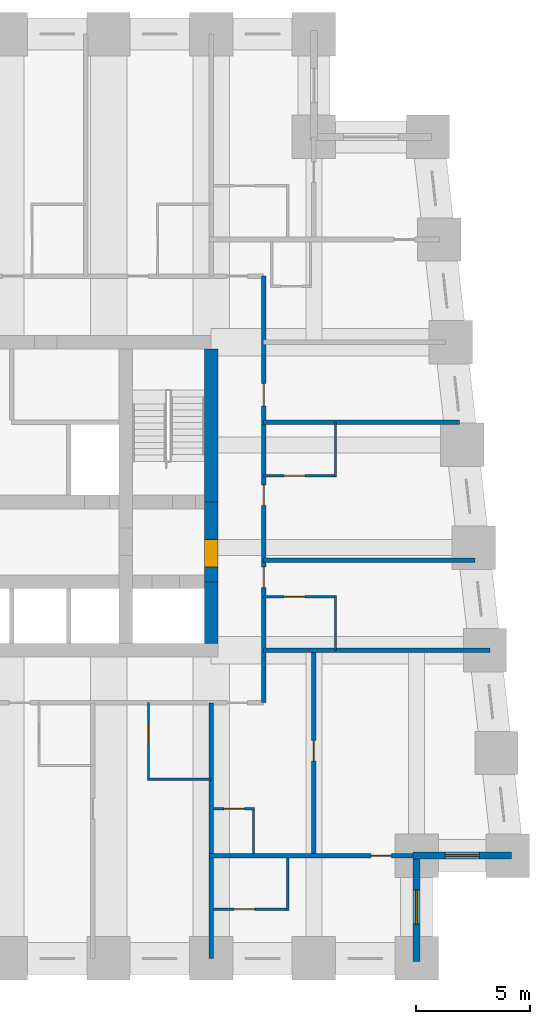
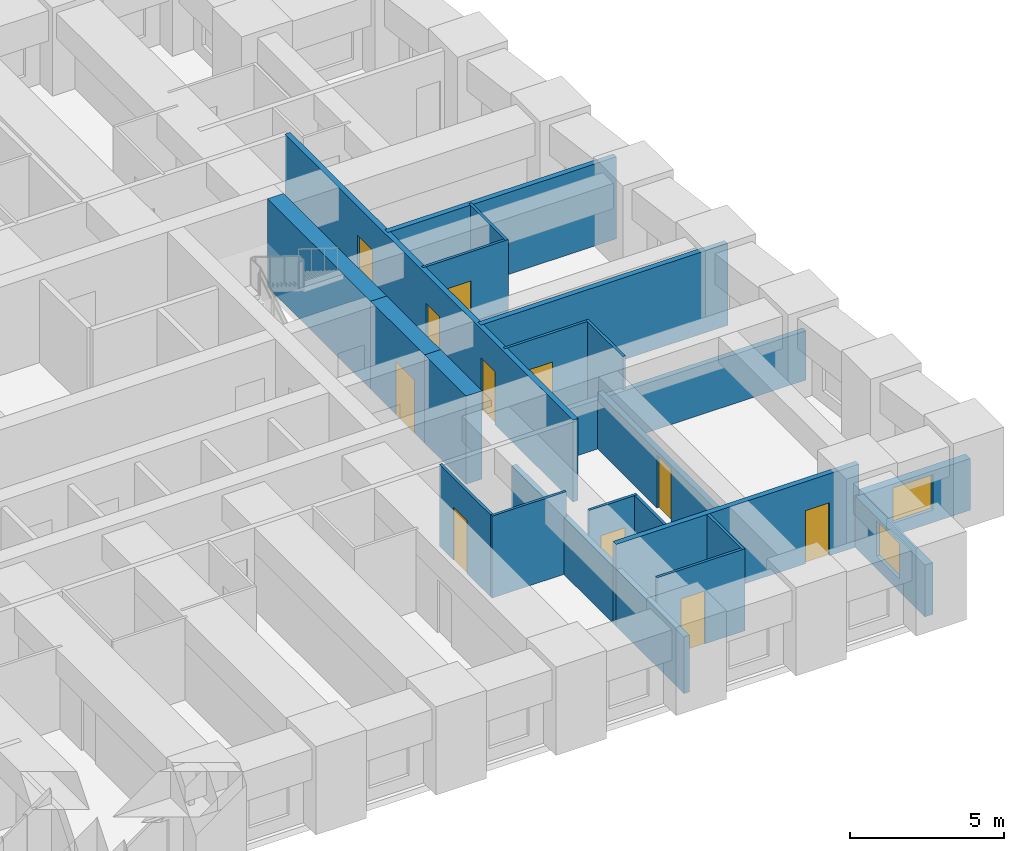
# One storey, part 5 of 8: 22 walls, 11 doors, 2 windows, 13 openings.
"""IFC4 building model written with IfcOpenShell, lengths in metres."""

from ifc_helpers import new_model, si_unit, direction, frame, frame_2d, origin, place, context, subcontext, project, spatial, rectangle, extrude, material, layer, layer_set, type_object, element, fill, save


model = new_model("IFC4")

# Units and contexts
model_context = context("Model", 3, precision=1e-05, world=origin(), true_north=direction((0.0, 1.0)))
body_context = subcontext(model_context, "Body", "Model", "MODEL_VIEW")
ifc_project = project(units=[si_unit("LENGTHUNIT", "METRE"), si_unit("AREAUNIT", "SQUARE_METRE"), si_unit("VOLUMEUNIT", "CUBIC_METRE"), si_unit("PLANEANGLEUNIT", "RADIAN"), si_unit("MASSUNIT", "GRAM", prefix="KILO")], contexts=[model_context])

# Site, building, storey
site_placement = place(None, origin())
site = spatial("IfcSite", under=ifc_project, at=site_placement, CompositionType="ELEMENT")
building_placement = place(site_placement, origin())
building = spatial("IfcBuilding", under=site, at=building_placement, Name="Kilele Tower Hotel", CompositionType="ELEMENT")
storey_placement = place(building_placement, frame((0.0, 0.0, 57.699951171875)))
storey = spatial("IfcBuildingStorey", under=building, at=storey_placement, Name="L13", CompositionType="ELEMENT", Elevation=57.699951171875)

# Wall
ifc_material_1 = material(Name="Moisture-resistant board")
ifc_layer_1 = layer(ifc_material_1, 0.10009765625)
ifc_layer_set_1 = layer_set([ifc_layer_1], Name="Moisture-resistant board")
wall_type_1 = type_object("IfcWallType", Name="Bathroom partition 100", PredefinedType="PLUMBINGWALL", material=ifc_layer_set_1)
wall_1_placement = place(storey_placement, frame((33.199951171875, 7.85009765625, 0.0), z_axis=(0.0, 0.0, 1.0), x_axis=(1.0, 0.0, 0.0)))
element("IfcWall", 1, at=wall_1_placement, inside=storey, type_object=wall_type_1, Name="Bathroom partition 100 L13", PredefinedType="PLUMBINGWALL", context=body_context, shape_type="SweptSolid", body=[
    extrude(rectangle(XDim=2.800048828125, YDim=0.10009765625, at=frame_2d((1.39990234375, 0.0))), origin(), (0.0, 0.0, 1.0), 3.25),
])

# Wall, opening, door
wall_2_placement = place(storey_placement, frame((33.25, 11.199951171875, 0.0), z_axis=(0.0, 0.0, 1.0), x_axis=(0.0, -1.0, 0.0)))
wall_2 = element("IfcWall", 2, at=wall_2_placement, inside=storey, type_object=wall_type_1, Name="Bathroom partition 100 L13", PredefinedType="PLUMBINGWALL", context=body_context, shape_type="SweptSolid", body=[
    extrude(rectangle(XDim=3.39990234375, YDim=0.10009765625, at=frame_2d((1.699951171875, 0.0))), origin(), (0.0, 0.0, 1.0), 3.25),
])
opening_1_placement = place(wall_2_placement, frame((1.7998046875, 0.0, 0.0), z_axis=(0.0, 0.0, 1.0), x_axis=(-1.0, 0.0, 0.0)))
opening_1 = element("IfcOpeningElement", 3, at=opening_1_placement, cuts=wall_2, Name="Opening D2A", PredefinedType="OPENING", context=body_context, shape_type="SweptSolid", body=[
    extrude(rectangle(XDim=0.89990234375, YDim=2.10009765625, at=frame_2d((0.449951171875, 1.050048828125))), frame((0.0, 0.06005859375, 0.0), z_axis=(0.0, -1.0, 0.0), x_axis=(1.0, 0.0, 0.0)), (0.0, 0.0, 1.0), 0.1201171875),
])
ifc_material_2 = material(Name="Timber door leaf in hardwood frame", Category="wood")
door_type_1 = type_object("IfcDoorType", Name="Bathroom door 900", OperationType="SINGLE_SWING_LEFT", PredefinedType="DOOR", material=ifc_material_2)
door_1_placement = place(opening_1_placement, origin())
door_1 = element("IfcDoor", 4, at=door_1_placement, inside=storey, type_object=door_type_1, Name="Bathroom door 1305B", OperationType="SINGLE_SWING_RIGHT", OverallHeight=2.10009765625, OverallWidth=0.89990234375, PredefinedType="DOOR", context=body_context, shape_type="SweptSolid", body=[
    extrude(rectangle(XDim=0.89990234375, YDim=2.10009765625, at=frame_2d((0.449951171875, 1.050048828125))), frame((0.0, 0.02490234375, 0.0), z_axis=(0.0, -1.0, 0.0), x_axis=(1.0, 0.0, 0.0)), (0.0, 0.0, 1.0), 0.050048828125),
])
fill(opening_1, door_1)

# Wall
wall_3_placement = place(storey_placement, frame((41.449951171875, 13.5, 0.0), z_axis=(0.0, 0.0, 1.0), x_axis=(0.0, 1.0, 0.0)))
element("IfcWall", 5, at=wall_3_placement, inside=storey, type_object=wall_type_1, Name="Bathroom partition 100 L13", PredefinedType="PLUMBINGWALL", context=body_context, shape_type="SweptSolid", body=[
    extrude(rectangle(XDim=2.39990234375, YDim=0.10009765625, at=frame_2d((1.199951171875, 0.0))), origin(), (0.0, 0.0, 1.0), 3.25),
])

# Wall, opening, door
wall_4_placement = place(storey_placement, frame((38.300048828125, 15.85009765625, 0.0), z_axis=(0.0, 0.0, 1.0), x_axis=(1.0, 0.0, 0.0)))
wall_4 = element("IfcWall", 6, at=wall_4_placement, inside=storey, type_object=wall_type_1, Name="Bathroom partition 100 L13", PredefinedType="PLUMBINGWALL", context=body_context, shape_type="SweptSolid", body=[
    extrude(rectangle(XDim=3.199951171875, YDim=0.10009765625, at=frame_2d((1.60009765625, 0.0))), origin(), (0.0, 0.0, 1.0), 3.25),
])
opening_2_placement = place(wall_4_placement, frame((0.89990234375, 0.0, 0.0)))
opening_2 = element("IfcOpeningElement", 7, at=opening_2_placement, cuts=wall_4, Name="Opening D2A", PredefinedType="OPENING", context=body_context, shape_type="SweptSolid", body=[
    extrude(rectangle(XDim=0.89990234375, YDim=2.10009765625, at=frame_2d((0.449951171875, 1.050048828125))), frame((0.0, 0.06005859375, 0.0), z_axis=(0.0, -1.0, 0.0), x_axis=(1.0, 0.0, 0.0)), (0.0, 0.0, 1.0), 0.1201171875),
])
door_2_placement = place(opening_2_placement, origin())
door_2 = element("IfcDoor", 8, at=door_2_placement, inside=storey, type_object=door_type_1, Name="Bathroom door 1306B", OperationType="SINGLE_SWING_LEFT", OverallHeight=2.10009765625, OverallWidth=0.89990234375, PredefinedType="DOOR", context=body_context, shape_type="SweptSolid", body=[
    extrude(rectangle(XDim=0.89990234375, YDim=2.10009765625, at=frame_2d((0.449951171875, 1.050048828125))), frame((0.0, 0.02490234375, 0.0), z_axis=(0.0, -1.0, 0.0), x_axis=(1.0, 0.0, 0.0)), (0.0, 0.0, 1.0), 0.050048828125),
])
fill(opening_2, door_2)

# Wall
wall_5_placement = place(storey_placement, frame((41.449951171875, 21.10009765625, 0.0), z_axis=(0.0, 0.0, 1.0), x_axis=(0.0, 1.0, 0.0)))
element("IfcWall", 9, at=wall_5_placement, inside=storey, type_object=wall_type_1, Name="Bathroom partition 100 L13", PredefinedType="PLUMBINGWALL", context=body_context, shape_type="SweptSolid", body=[
    extrude(rectangle(XDim=2.39990234375, YDim=0.10009765625, at=frame_2d((1.199951171875, 0.0))), origin(), (0.0, 0.0, 1.0), 3.25),
])

# Wall, opening, door
wall_6_placement = place(storey_placement, frame((38.300048828125, 21.14990234375, 0.0), z_axis=(0.0, 0.0, 1.0), x_axis=(1.0, 0.0, 0.0)))
wall_6 = element("IfcWall", 10, at=wall_6_placement, inside=storey, type_object=wall_type_1, Name="Bathroom partition 100 L13", PredefinedType="PLUMBINGWALL", context=body_context, shape_type="SweptSolid", body=[
    extrude(rectangle(XDim=3.199951171875, YDim=0.10009765625, at=frame_2d((1.60009765625, 0.0))), origin(), (0.0, 0.0, 1.0), 3.25),
])
opening_3_placement = place(wall_6_placement, frame((1.7998046875, 0.0, 0.0), z_axis=(0.0, 0.0, 1.0), x_axis=(-1.0, 0.0, 0.0)))
opening_3 = element("IfcOpeningElement", 11, at=opening_3_placement, cuts=wall_6, Name="Opening D2A", PredefinedType="OPENING", context=body_context, shape_type="SweptSolid", body=[
    extrude(rectangle(XDim=0.89990234375, YDim=2.10009765625, at=frame_2d((0.449951171875, 1.050048828125))), frame((0.0, 0.06005859375, 0.0), z_axis=(0.0, -1.0, 0.0), x_axis=(1.0, 0.0, 0.0)), (0.0, 0.0, 1.0), 0.1201171875),
])
door_3_placement = place(opening_3_placement, origin())
door_3 = element("IfcDoor", 12, at=door_3_placement, inside=storey, type_object=door_type_1, Name="Bathroom door 1307B", OperationType="SINGLE_SWING_RIGHT", OverallHeight=2.10009765625, OverallWidth=0.89990234375, PredefinedType="DOOR", context=body_context, shape_type="SweptSolid", body=[
    extrude(rectangle(XDim=0.89990234375, YDim=2.10009765625, at=frame_2d((0.449951171875, 1.050048828125))), frame((0.0, 0.02490234375, 0.0), z_axis=(0.0, -1.0, 0.0), x_axis=(1.0, 0.0, 0.0)), (0.0, 0.0, 1.0), 0.050048828125),
])
fill(opening_3, door_3)

# Wall
wall_7_placement = place(storey_placement, frame((37.85009765625, 4.60009765625, 0.0), z_axis=(0.0, 0.0, 1.0), x_axis=(0.0, 1.0, 0.0)))
element("IfcWall", 13, at=wall_7_placement, inside=storey, type_object=wall_type_1, Name="Bathroom partition 100 L13", PredefinedType="PLUMBINGWALL", context=body_context, shape_type="SweptSolid", body=[
    extrude(rectangle(XDim=2.0, YDim=0.10009765625, at=frame_2d((1.0, 0.0))), origin(), (0.0, 0.0, 1.0), 3.25),
])

# Wall, opening, door
wall_8_placement = place(storey_placement, frame((36.10009765625, 6.550048828125, 0.0), z_axis=(0.0, 0.0, 1.0), x_axis=(1.0, 0.0, 0.0)))
wall_8 = element("IfcWall", 14, at=wall_8_placement, inside=storey, type_object=wall_type_1, Name="Bathroom partition 100 L13", PredefinedType="PLUMBINGWALL", context=body_context, shape_type="SweptSolid", body=[
    extrude(rectangle(XDim=1.7998046875, YDim=0.10009765625, at=frame_2d((0.89990234375, 0.0))), origin(), (0.0, 0.0, 1.0), 3.25),
])
opening_4_placement = place(wall_8_placement, frame((0.449951171875, 0.0, 0.0)))
opening_4 = element("IfcOpeningElement", 15, at=opening_4_placement, cuts=wall_8, Name="Opening D2A", PredefinedType="OPENING", context=body_context, shape_type="SweptSolid", body=[
    extrude(rectangle(XDim=0.89990234375, YDim=2.10009765625, at=frame_2d((0.449951171875, 1.050048828125))), frame((0.0, 0.06005859375, 0.0), z_axis=(0.0, -1.0, 0.0), x_axis=(1.0, 0.0, 0.0)), (0.0, 0.0, 1.0), 0.1201171875),
])
door_4_placement = place(opening_4_placement, origin())
door_4 = element("IfcDoor", 16, at=door_4_placement, inside=storey, type_object=door_type_1, Name="Bathroom door 1320P", OperationType="SINGLE_SWING_LEFT", OverallHeight=2.10009765625, OverallWidth=0.89990234375, PredefinedType="DOOR", context=body_context, shape_type="SweptSolid", body=[
    extrude(rectangle(XDim=0.89990234375, YDim=2.10009765625, at=frame_2d((0.449951171875, 1.050048828125))), frame((0.0, 0.02490234375, 0.0), z_axis=(0.0, -1.0, 0.0), x_axis=(1.0, 0.0, 0.0)), (0.0, 0.0, 1.0), 0.050048828125),
])
fill(opening_4, door_4)

# Wall
wall_9_placement = place(storey_placement, frame((39.35009765625, 4.39990234375, 0.0), z_axis=(0.0, 0.0, 1.0), x_axis=(0.0, -1.0, 0.0)))
element("IfcWall", 17, at=wall_9_placement, inside=storey, type_object=wall_type_1, Name="Bathroom partition 100 L13", PredefinedType="PLUMBINGWALL", context=body_context, shape_type="SweptSolid", body=[
    extrude(rectangle(XDim=2.2998046875, YDim=0.10009765625, at=frame_2d((1.14990234375, 0.0))), origin(), (0.0, 0.0, 1.0), 3.25),
])

# Wall, opening, door
wall_10_placement = place(storey_placement, frame((36.10009765625, 2.14990234375, 0.0), z_axis=(0.0, 0.0, 1.0), x_axis=(1.0, 0.0, 0.0)))
wall_10 = element("IfcWall", 18, at=wall_10_placement, inside=storey, type_object=wall_type_1, Name="Bathroom partition 100 L13", PredefinedType="PLUMBINGWALL", context=body_context, shape_type="SweptSolid", body=[
    extrude(rectangle(XDim=3.2998046875, YDim=0.10009765625, at=frame_2d((1.64990234375, 0.0))), origin(), (0.0, 0.0, 1.0), 3.25),
])
opening_5_placement = place(wall_10_placement, frame((1.7998046875, 0.0, 0.0), z_axis=(0.0, 0.0, 1.0), x_axis=(-1.0, 0.0, 0.0)))
opening_5 = element("IfcOpeningElement", 19, at=opening_5_placement, cuts=wall_10, Name="Opening D2A", PredefinedType="OPENING", context=body_context, shape_type="SweptSolid", body=[
    extrude(rectangle(XDim=0.89990234375, YDim=2.10009765625, at=frame_2d((0.449951171875, 1.050048828125))), frame((0.0, 0.06005859375, 0.0), z_axis=(0.0, -1.0, 0.0), x_axis=(1.0, 0.0, 0.0)), (0.0, 0.0, 1.0), 0.1201171875),
])
door_5_placement = place(opening_5_placement, origin())
door_5 = element("IfcDoor", 20, at=door_5_placement, inside=storey, type_object=door_type_1, Name="Bathroom door 1322B", OperationType="SINGLE_SWING_RIGHT", OverallHeight=2.10009765625, OverallWidth=0.89990234375, PredefinedType="DOOR", context=body_context, shape_type="SweptSolid", body=[
    extrude(rectangle(XDim=0.89990234375, YDim=2.10009765625, at=frame_2d((0.449951171875, 1.050048828125))), frame((0.0, 0.02490234375, 0.0), z_axis=(0.0, -1.0, 0.0), x_axis=(1.0, 0.0, 0.0)), (0.0, 0.0, 1.0), 0.050048828125),
])
fill(opening_5, door_5)

# Wall
ifc_material_3 = material(Name="Concrete C60/75", Category="concrete")
ifc_layer_2 = layer(ifc_material_3, 0.60009765625)
ifc_layer_set_2 = layer_set([ifc_layer_2], Name="Concrete C60/75")
wall_type_2 = type_object("IfcWallType", Name="Core wall 600 C60/75", PredefinedType="SHEAR", material=ifc_layer_set_2)
wall_11_placement = place(storey_placement, frame((36.0, 13.800048828125, 0.0), z_axis=(0.0, 0.0, 1.0), x_axis=(0.0, 1.0, 0.0)))
element("IfcWall", 21, at=wall_11_placement, inside=storey, type_object=wall_type_2, Name="Core wall E1 L13", PredefinedType="SHEAR", context=body_context, shape_type="SweptSolid", body=[
    extrude(rectangle(XDim=2.699951171875, YDim=0.60009765625, at=frame_2d((1.35009765625, 0.0))), origin(), (0.0, 0.0, 1.0), 3.5),
])

# Wall, opening, door
wall_12_placement = place(storey_placement, frame((36.0, 16.5, 0.0), z_axis=(0.0, 0.0, 1.0), x_axis=(0.0, 1.0, 0.0)))
wall_12 = element("IfcWall", 22, at=wall_12_placement, inside=storey, type_object=wall_type_2, Name="Core wall E2 L13", PredefinedType="SHEAR", context=body_context, shape_type="SweptSolid", body=[
    extrude(rectangle(XDim=3.5, YDim=0.60009765625, at=frame_2d((1.75, 0.0))), origin(), (0.0, 0.0, 1.0), 3.5),
])
opening_6_placement = place(wall_12_placement, frame((0.64990234375, 0.0, 0.0)))
opening_6 = element("IfcOpeningElement", 23, at=opening_6_placement, cuts=wall_12, Name="Opening D4", PredefinedType="OPENING", context=body_context, shape_type="SweptSolid", body=[
    extrude(rectangle(XDim=1.199951171875, YDim=2.10009765625, at=frame_2d((0.60009765625, 1.050048828125))), frame((0.0, 0.31005859375, 0.0), z_axis=(0.0, -1.0, 0.0), x_axis=(1.0, 0.0, 0.0)), (0.0, 0.0, 1.0), 0.6201171875),
])
ifc_material_4 = material(Name="Timber door leaf in hardwood frame", Category="wood")
door_type_2 = type_object("IfcDoorType", Name="Firefighting lobby door 1200", OperationType="SINGLE_SWING_LEFT", PredefinedType="DOOR", material=ifc_material_4)
door_6_placement = place(opening_6_placement, origin())
door_6 = element("IfcDoor", 24, at=door_6_placement, inside=storey, type_object=door_type_2, Name="Lobby door L13", OperationType="SINGLE_SWING_LEFT", OverallHeight=2.10009765625, OverallWidth=1.199951171875, PredefinedType="DOOR", context=body_context, shape_type="SweptSolid", body=[
    extrude(rectangle(XDim=1.199951171875, YDim=2.10009765625, at=frame_2d((0.60009765625, 1.050048828125))), frame((0.0, 0.2998046875, 0.0), z_axis=(0.0, -1.0, 0.0), x_axis=(1.0, 0.0, 0.0)), (0.0, 0.0, 1.0), 0.599609375),
])
fill(opening_6, door_6)

# Wall
wall_13_placement = place(storey_placement, frame((36.0, 20.0, 0.0), z_axis=(0.0, 0.0, 1.0), x_axis=(0.0, 1.0, 0.0)))
element("IfcWall", 25, at=wall_13_placement, inside=storey, type_object=wall_type_2, Name="Core wall E3 L13", PredefinedType="SHEAR", context=body_context, shape_type="SweptSolid", body=[
    extrude(rectangle(XDim=6.699951171875, YDim=0.60009765625, at=frame_2d((3.35009765625, 0.0))), origin(), (0.0, 0.0, 1.0), 3.5),
])

# Wall, openings, doors
ifc_material_5 = material(Name="Blockwork, plastered both sides", Category="masonry")
ifc_layer_3 = layer(ifc_material_5, 0.199951171875)
ifc_layer_set_3 = layer_set([ifc_layer_3], Name="Blockwork, plastered both sides")
wall_type_3 = type_object("IfcWallType", Name="Corridor wall 200", PredefinedType="PARTITIONING", material=ifc_layer_set_3)
wall_14_placement = place(storey_placement, frame((38.300048828125, 11.199951171875, 0.0), z_axis=(0.0, 0.0, 1.0), x_axis=(0.0, 1.0, 0.0)))
wall_14 = element("IfcWall", 26, at=wall_14_placement, inside=storey, type_object=wall_type_3, Name="Corridor wall 200 L13", PredefinedType="PARTITIONING", context=body_context, shape_type="SweptSolid", body=[
    extrude(rectangle(XDim=18.699951171875, YDim=0.199951171875, at=frame_2d((9.35009765625, 0.0))), origin(), (0.0, 0.0, 1.0), 3.25),
])
opening_7_placement = place(wall_14_placement, frame((5.949951171875, 0.0, 0.0), z_axis=(0.0, 0.0, 1.0), x_axis=(-1.0, 0.0, 0.0)))
opening_7 = element("IfcOpeningElement", 27, at=opening_7_placement, cuts=wall_14, Name="Opening D1", PredefinedType="OPENING", context=body_context, shape_type="SweptSolid", body=[
    extrude(rectangle(XDim=0.89990234375, YDim=2.10009765625, at=frame_2d((0.449951171875, 1.050048828125))), frame((0.0, 0.10986328125, 0.0), z_axis=(0.0, -1.0, 0.0), x_axis=(1.0, 0.0, 0.0)), (0.0, 0.0, 1.0), 0.219970703125),
])
opening_8_placement = place(wall_14_placement, frame((9.5498046875, 0.0, 0.0), z_axis=(0.0, 0.0, 1.0), x_axis=(-1.0, 0.0, 0.0)))
opening_8 = element("IfcOpeningElement", 28, at=opening_8_placement, cuts=wall_14, Name="Opening D1", PredefinedType="OPENING", context=body_context, shape_type="SweptSolid", body=[
    extrude(rectangle(XDim=0.89990234375, YDim=2.10009765625, at=frame_2d((0.449951171875, 1.050048828125))), frame((0.0, 0.10986328125, 0.0), z_axis=(0.0, -1.0, 0.0), x_axis=(1.0, 0.0, 0.0)), (0.0, 0.0, 1.0), 0.219970703125),
])
opening_9_placement = place(wall_14_placement, frame((14.0, 0.0, 0.0), z_axis=(0.0, 0.0, 1.0), x_axis=(-1.0, 0.0, 0.0)))
opening_9 = element("IfcOpeningElement", 29, at=opening_9_placement, cuts=wall_14, Name="Opening D8", PredefinedType="OPENING", context=body_context, shape_type="SweptSolid", body=[
    extrude(rectangle(XDim=1.0, YDim=2.10009765625, at=frame_2d((0.5, 1.050048828125))), frame((0.0, 0.10986328125, 0.0), z_axis=(0.0, -1.0, 0.0), x_axis=(1.0, 0.0, 0.0)), (0.0, 0.0, 1.0), 0.219970703125),
])
ifc_material_6 = material(Name="Timber door leaf in hardwood frame", Category="wood")
door_type_3 = type_object("IfcDoorType", Name="Door 1000", OperationType="SINGLE_SWING_LEFT", PredefinedType="DOOR", material=ifc_material_6)
door_7_placement = place(opening_9_placement, origin())
door_7 = element("IfcDoor", 30, at=door_7_placement, inside=storey, type_object=door_type_3, Name="Room entrance 1308", OperationType="SINGLE_SWING_RIGHT", OverallHeight=2.10009765625, OverallWidth=1.0, PredefinedType="DOOR", context=body_context, shape_type="SweptSolid", body=[
    extrude(rectangle(XDim=1.0, YDim=2.10009765625, at=frame_2d((0.5, 1.050048828125))), frame((0.0, 0.02490234375, 0.0), z_axis=(0.0, -1.0, 0.0), x_axis=(1.0, 0.0, 0.0)), (0.0, 0.0, 1.0), 0.050048828125),
])
fill(opening_9, door_7)
ifc_material_7 = material(Name="Timber door leaf in hardwood frame", Category="wood")
door_type_4 = type_object("IfcDoorType", Name="Guest room entrance door 900", OperationType="SINGLE_SWING_LEFT", PredefinedType="DOOR", material=ifc_material_7)
door_8_placement = place(opening_7_placement, origin())
door_8 = element("IfcDoor", 31, at=door_8_placement, inside=storey, type_object=door_type_4, Name="Room entrance 1306", OperationType="SINGLE_SWING_LEFT", OverallHeight=2.10009765625, OverallWidth=0.89990234375, PredefinedType="DOOR", context=body_context, shape_type="SweptSolid", body=[
    extrude(rectangle(XDim=0.89990234375, YDim=2.10009765625, at=frame_2d((0.449951171875, 1.050048828125))), frame((0.0, 0.02490234375, 0.0), z_axis=(0.0, -1.0, 0.0), x_axis=(1.0, 0.0, 0.0)), (0.0, 0.0, 1.0), 0.050048828125),
])
fill(opening_7, door_8)
door_9_placement = place(opening_8_placement, origin())
door_9 = element("IfcDoor", 32, at=door_9_placement, inside=storey, type_object=door_type_4, Name="Room entrance 1307", OperationType="SINGLE_SWING_LEFT", OverallHeight=2.10009765625, OverallWidth=0.89990234375, PredefinedType="DOOR", context=body_context, shape_type="SweptSolid", body=[
    extrude(rectangle(XDim=0.89990234375, YDim=2.10009765625, at=frame_2d((0.449951171875, 1.050048828125))), frame((0.0, 0.02490234375, 0.0), z_axis=(0.0, -1.0, 0.0), x_axis=(1.0, 0.0, 0.0)), (0.0, 0.0, 1.0), 0.050048828125),
])
fill(opening_8, door_9)

# Wall, opening, door
ifc_material_8 = material(Name="Blockwork, plastered both sides", Category="masonry")
ifc_layer_4 = layer(ifc_material_8, 0.199951171875)
ifc_layer_set_4 = layer_set([ifc_layer_4], Name="Blockwork, plastered both sides")
wall_type_4 = type_object("IfcWallType", Name="Partition wall 200", PredefinedType="PARTITIONING", material=ifc_layer_set_4)
wall_15_placement = place(storey_placement, frame((40.5, 4.60009765625, 0.0), z_axis=(0.0, 0.0, 1.0), x_axis=(0.0, 1.0, 0.0)))
wall_15 = element("IfcWall", 33, at=wall_15_placement, inside=storey, type_object=wall_type_4, Name="Partition wall 200 L13", PredefinedType="PARTITIONING", context=body_context, shape_type="SweptSolid", body=[
    extrude(rectangle(XDim=8.7998046875, YDim=0.199951171875, at=frame_2d((4.39990234375, 0.0))), origin(), (0.0, 0.0, 1.0), 2.25),
])
opening_10_placement = place(wall_15_placement, frame((4.050048828125, 0.0, 0.0)))
opening_10 = element("IfcOpeningElement", 34, at=opening_10_placement, cuts=wall_15, Name="Opening D3", PredefinedType="OPENING", context=body_context, shape_type="SweptSolid", body=[
    extrude(rectangle(XDim=0.89990234375, YDim=2.10009765625, at=frame_2d((0.449951171875, 1.050048828125))), frame((0.0, 0.10986328125, 0.0), z_axis=(0.0, -1.0, 0.0), x_axis=(1.0, 0.0, 0.0)), (0.0, 0.0, 1.0), 0.219970703125),
])
ifc_material_9 = material(Name="Timber door leaf in hardwood frame", Category="wood")
door_type_5 = type_object("IfcDoorType", Name="Suite internal door 900", OperationType="SINGLE_SWING_LEFT", PredefinedType="DOOR", material=ifc_material_9)
door_10_placement = place(opening_10_placement, origin())
door_10 = element("IfcDoor", 35, at=door_10_placement, inside=storey, type_object=door_type_5, Name="Suite door 1321", OperationType="SINGLE_SWING_RIGHT", OverallHeight=2.10009765625, OverallWidth=0.89990234375, PredefinedType="DOOR", context=body_context, shape_type="SweptSolid", body=[
    extrude(rectangle(XDim=0.89990234375, YDim=2.10009765625, at=frame_2d((0.449951171875, 1.050048828125))), frame((0.0, 0.02490234375, 0.0), z_axis=(0.0, -1.0, 0.0), x_axis=(1.0, 0.0, 0.0)), (0.0, 0.0, 1.0), 0.050048828125),
])
fill(opening_10, door_10)

# Walls
ifc_material_10 = material(Name="Blockwork, plastered both sides", Category="masonry")
ifc_layer_5 = layer(ifc_material_10, 0.199951171875)
ifc_layer_set_5 = layer_set([ifc_layer_5], Name="Blockwork, plastered both sides")
wall_type_5 = type_object("IfcWallType", Name="Party wall 200", PredefinedType="PARTITIONING", material=ifc_layer_set_5)
wall_16_placement = place(storey_placement, frame((38.300048828125, 17.449951171875, 0.0), z_axis=(0.0, 0.0, 1.0), x_axis=(1.0, 0.0, 0.0)))
element("IfcWall", 36, at=wall_16_placement, inside=storey, type_object=wall_type_5, Name="Party wall 200 L13", PredefinedType="PARTITIONING", context=body_context, shape_type="SweptSolid", body=[
    extrude(rectangle(XDim=9.26025390625, YDim=0.199951171875, at=frame_2d((4.630126953125, 0.0))), origin(), (0.0, 0.0, 1.0), 3.25),
])
wall_17_placement = place(storey_placement, frame((38.300048828125, 23.5, 0.0), z_axis=(0.0, 0.0, 1.0), x_axis=(1.0, 0.0, 0.0)))
element("IfcWall", 37, at=wall_17_placement, inside=storey, type_object=wall_type_5, Name="Party wall 200 L13", PredefinedType="PARTITIONING", context=body_context, shape_type="SweptSolid", body=[
    extrude(rectangle(XDim=8.587890625, YDim=0.199951171875, at=frame_2d((4.2939453125, 0.0))), origin(), (0.0, 0.0, 1.0), 3.25),
])
wall_18_placement = place(storey_placement, frame((38.300048828125, 13.5, 0.0), z_axis=(0.0, 0.0, 1.0), x_axis=(1.0, 0.0, 0.0)))
element("IfcWall", 38, at=wall_18_placement, inside=storey, type_object=wall_type_5, Name="Party wall 200 L13", PredefinedType="PARTITIONING", context=body_context, shape_type="SweptSolid", body=[
    extrude(rectangle(XDim=9.921142578125, YDim=0.199951171875, at=frame_2d((4.96044921875, 0.0))), origin(), (0.0, 0.0, 1.0), 1.949951171875),
])
wall_19_placement = place(storey_placement, frame((36.0, 11.199951171875, 0.0), z_axis=(0.0, 0.0, 1.0), x_axis=(0.0, -1.0, 0.0)))
element("IfcWall", 39, at=wall_19_placement, inside=storey, type_object=wall_type_5, Name="Party wall 200 L13", PredefinedType="PARTITIONING", context=body_context, shape_type="SweptSolid", body=[
    extrude(rectangle(XDim=11.199951171875, YDim=0.199951171875, at=frame_2d((5.60009765625, 0.0))), origin(), (0.0, 0.0, 1.0), 2.25),
])

# Wall, opening, door
wall_20_placement = place(storey_placement, frame((35.89990234375, 4.5, 0.0), z_axis=(0.0, 0.0, 1.0), x_axis=(1.0, 0.0, 0.0)))
wall_20 = element("IfcWall", 40, at=wall_20_placement, inside=storey, type_object=wall_type_5, Name="Party wall 200 L13", PredefinedType="PARTITIONING", context=body_context, shape_type="SweptSolid", body=[
    extrude(rectangle(XDim=9.10009765625, YDim=0.199951171875, at=frame_2d((4.550048828125, 0.0))), origin(), (0.0, 0.0, 1.0), 3.25),
])
opening_11_placement = place(wall_20_placement, frame((7.10009765625, 0.0, 0.0)))
opening_11 = element("IfcOpeningElement", 41, at=opening_11_placement, cuts=wall_20, Name="Opening D3", PredefinedType="OPENING", context=body_context, shape_type="SweptSolid", body=[
    extrude(rectangle(XDim=0.89990234375, YDim=2.10009765625, at=frame_2d((0.449951171875, 1.050048828125))), frame((0.0, 0.10986328125, 0.0), z_axis=(0.0, -1.0, 0.0), x_axis=(1.0, 0.0, 0.0)), (0.0, 0.0, 1.0), 0.219970703125),
])
door_11_placement = place(opening_11_placement, origin())
door_11 = element("IfcDoor", 42, at=door_11_placement, inside=storey, type_object=door_type_5, Name="Suite door 1322", OperationType="SINGLE_SWING_RIGHT", OverallHeight=2.10009765625, OverallWidth=0.89990234375, PredefinedType="DOOR", context=body_context, shape_type="SweptSolid", body=[
    extrude(rectangle(XDim=0.89990234375, YDim=2.10009765625, at=frame_2d((0.449951171875, 1.050048828125))), frame((0.0, 0.02490234375, 0.0), z_axis=(0.0, -1.0, 0.0), x_axis=(1.0, 0.0, 0.0)), (0.0, 0.0, 1.0), 0.050048828125),
])
fill(opening_11, door_11)

# Wall, opening, window
ifc_material_11 = material(Name="Concrete C40/50 precast", Category="concrete")
ifc_layer_6 = layer(ifc_material_11, 0.260009765625, Name="Precast backing", Category="LoadBearing")
ifc_material_12 = material(Name="Reconstituted stone finish", Category="masonry")
ifc_layer_7 = layer(ifc_material_12, 0.0400390625, Name="Face mix", Category="Finish")
ifc_layer_set_6 = layer_set([ifc_layer_6, ifc_layer_7], Name="Precast concrete C40/50, reconstituted stone finish")
wall_type_6 = type_object("IfcWallType", Name="Precast stone facade wall 300", PredefinedType="STANDARD", material=ifc_layer_set_6)
wall_21_placement = place(storey_placement, frame((45.0, -0.14990234375, 0.0), z_axis=(0.0, 0.0, 1.0), x_axis=(0.0, 1.0, 0.0)))
wall_21 = element("IfcWall", 43, at=wall_21_placement, inside=storey, type_object=wall_type_6, Name="Facade wall L13 edge 4", PredefinedType="STANDARD", context=body_context, shape_type="SweptSolid", body=[
    extrude(rectangle(XDim=4.7998046875, YDim=0.300048828125, at=frame_2d((2.39990234375, 0.0))), origin(), (0.0, 0.0, 1.0), 2.050048828125),
])
opening_12_placement = place(wall_21_placement, frame((1.64990234375, 0.0, 0.5)))
opening_12 = element("IfcOpeningElement", 44, at=opening_12_placement, cuts=wall_21, Name="Opening W1", PredefinedType="OPENING", context=body_context, shape_type="SweptSolid", body=[
    extrude(rectangle(XDim=1.5, YDim=1.39990234375, at=frame_2d((0.75, 0.699951171875))), frame((0.0, 0.159912109375, 0.0), z_axis=(0.0, -1.0, 0.0), x_axis=(1.0, 0.0, 0.0)), (0.0, 0.0, 1.0), 0.320068359375),
])
ifc_material_13 = material(Name="Aluminium frame, clear double glazing", Category="aluminium")
window_type = type_object("IfcWindowType", Name="Window W1 1500 x 1400", PartitioningType="SINGLE_PANEL", PredefinedType="WINDOW", material=ifc_material_13)
window_1_placement = place(opening_12_placement, origin())
window_1 = element("IfcWindow", 45, at=window_1_placement, inside=storey, type_object=window_type, Name="Window L13", OverallHeight=1.39990234375, OverallWidth=1.5, PartitioningType="SINGLE_PANEL", PredefinedType="WINDOW", context=body_context, shape_type="SweptSolid", body=[
    extrude(rectangle(XDim=1.5, YDim=1.39990234375, at=frame_2d((0.75, 0.699951171875))), frame((0.0, 0.030029296875, 0.0), z_axis=(0.0, -1.0, 0.0), x_axis=(1.0, 0.0, 0.0)), (0.0, 0.0, 1.0), 0.06005859375),
])
fill(opening_12, window_1)

wall_22_placement = place(storey_placement, frame((44.85009765625, 4.5, 0.0), z_axis=(0.0, 0.0, 1.0), x_axis=(1.0, 0.0, 0.0)))
wall_22 = element("IfcWall", 46, at=wall_22_placement, inside=storey, type_object=wall_type_6, Name="Facade wall L13 edge 5", PredefinedType="STANDARD", context=body_context, shape_type="SweptSolid", body=[
    extrude(rectangle(XDim=4.2998046875, YDim=0.300048828125, at=frame_2d((2.14990234375, 0.0))), origin(), (0.0, 0.0, 1.0), 2.050048828125),
])
opening_13_placement = place(wall_22_placement, frame((1.39990234375, 0.0, 0.5)))
opening_13 = element("IfcOpeningElement", 47, at=opening_13_placement, cuts=wall_22, Name="Opening W1", PredefinedType="OPENING", context=body_context, shape_type="SweptSolid", body=[
    extrude(rectangle(XDim=1.5, YDim=1.39990234375, at=frame_2d((0.75, 0.699951171875))), frame((0.0, 0.159912109375, 0.0), z_axis=(0.0, -1.0, 0.0), x_axis=(1.0, 0.0, 0.0)), (0.0, 0.0, 1.0), 0.320068359375),
])
window_2_placement = place(opening_13_placement, origin())
window_2 = element("IfcWindow", 48, at=window_2_placement, inside=storey, type_object=window_type, Name="Window L13", OverallHeight=1.39990234375, OverallWidth=1.5, PartitioningType="SINGLE_PANEL", PredefinedType="WINDOW", context=body_context, shape_type="SweptSolid", body=[
    extrude(rectangle(XDim=1.5, YDim=1.39990234375, at=frame_2d((0.75, 0.699951171875))), frame((0.0, 0.030029296875, 0.0), z_axis=(0.0, -1.0, 0.0), x_axis=(1.0, 0.0, 0.0)), (0.0, 0.0, 1.0), 0.06005859375),
])
fill(opening_13, window_2)

save(model, "model.ifc")
